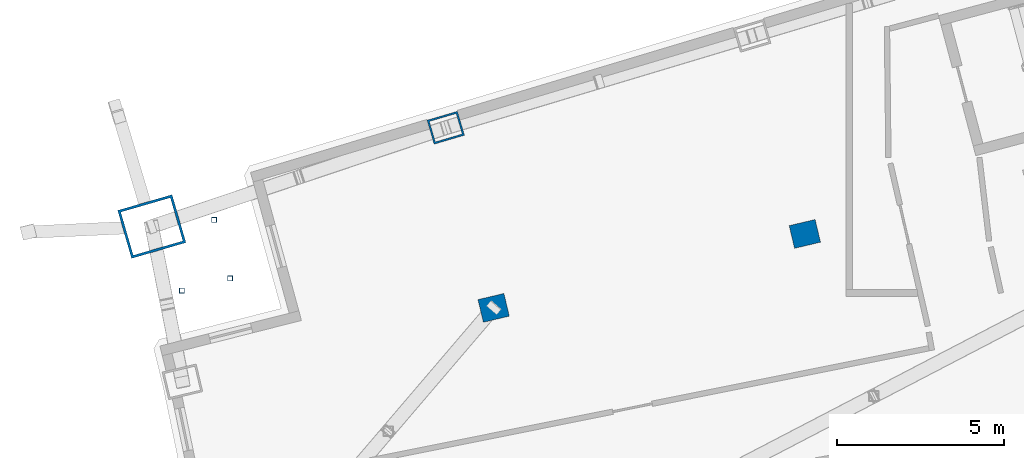
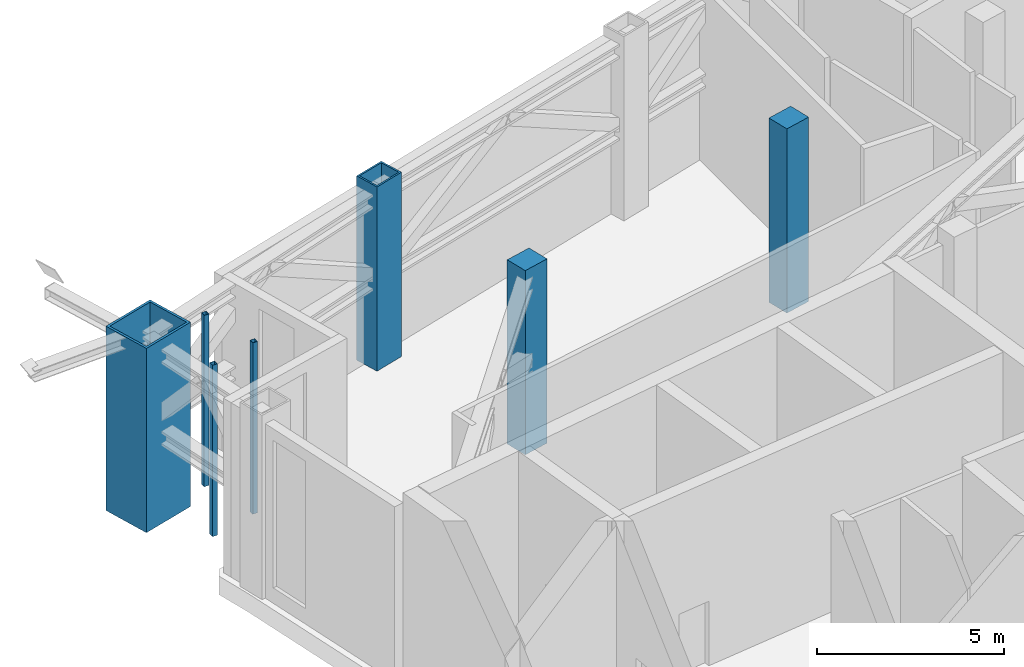
# One storey, part 5 of 23: 7 columns.
"""IFC4 building model written with IfcOpenShell, lengths in metres."""

from ifc_helpers import new_model, si_unit, direction, frame, origin, origin_2d, place, context, subcontext, project, spatial, rectangle, hollow_rectangle, extrude, material, material_profile, profile_set, type_object, element, save


model = new_model("IFC4")

# Units and contexts
model_context = context("Model", 3, precision=1e-05, world=origin(), true_north=direction((0.0, 1.0)))
body_context = subcontext(model_context, "Body", "Model", "MODEL_VIEW")
ifc_project = project(units=[si_unit("LENGTHUNIT", "METRE"), si_unit("AREAUNIT", "SQUARE_METRE"), si_unit("VOLUMEUNIT", "CUBIC_METRE"), si_unit("PLANEANGLEUNIT", "RADIAN"), si_unit("MASSUNIT", "GRAM", prefix="KILO")], contexts=[model_context])

# Site, building, storey
site_placement = place(None, origin())
site = spatial("IfcSite", under=ifc_project, at=site_placement, CompositionType="ELEMENT")
building_placement = place(site_placement, origin())
building = spatial("IfcBuilding", under=site, at=building_placement, Name="Alderwake Tower", CompositionType="ELEMENT")
storey_placement = place(building_placement, frame((0.0, 0.0, 239.60009765625)))
storey = spatial("IfcBuildingStorey", under=building, at=storey_placement, Name="L59", CompositionType="ELEMENT", Elevation=239.60009765625)

# Columns
ifc_material_1 = material(Name="Steel ASTM A572 Grade 50 concrete filled C70/85", Category="concrete")
ifc_material_profile_1 = material_profile(ifc_material_1, hollow_rectangle(XDim=0.75, YDim=0.949951171875, WallThickness=0.054931640625, at=origin_2d()), Name="BOX 950X750X55")
ifc_profile_set_1 = profile_set([ifc_material_profile_1], Name="Steel ASTM A572 Grade 50 concrete filled C70/85")
column_type_1 = type_object("IfcColumnType", Name="End column Z4", PredefinedType="COLUMN", material=ifc_profile_set_1)
column_1_placement = place(storey_placement, frame((21.885498046875, 90.96240234375, 0.0), z_axis=(0.0, 0.0, 1.0), x_axis=(-0.282132160283, 0.95937554906, 0.0)))
element("IfcColumn", 1, at=column_1_placement, inside=storey, type_object=column_type_1, Name="Column R12-C1", PredefinedType="COLUMN", context=body_context, shape_type="SweptSolid", body=[
    extrude(hollow_rectangle(XDim=0.75, YDim=0.949951171875, WallThickness=0.054931640625, at=origin_2d()), origin(), (0.0, 0.0, 1.0), 6.0),
])
ifc_material_2 = material(Name="Concrete C70/85", Category="concrete")
ifc_material_profile_2 = material_profile(ifc_material_2, rectangle(XDim=0.699951171875, YDim=0.800048828125, at=origin_2d()), Name="RC 800X700")
ifc_profile_set_2 = profile_set([ifc_material_profile_2], Name="Concrete C70/85")
column_type_2 = type_object("IfcColumnType", Name="Interior column Z4", PredefinedType="COLUMN", material=ifc_profile_set_2)
for number, where, z_axis, x_axis, name in (
    (2, (23.322021484375, 85.555908203125, 0.0), (0.0, 0.0, 1.0), (-0.231221547198, 0.972901123502, 0.0), "Column R11-C1"),
    (3, (32.661865234375, 87.775390625, 0.0), (0.0, 0.0, 1.0), (-0.231221547198, 0.972901123502, 0.0), "Column R11-C2"),
):
    element("IfcColumn", number, at=place(storey_placement, frame(where, z_axis=z_axis, x_axis=x_axis)), inside=storey, type_object=column_type_2, Name=name, PredefinedType="COLUMN", context=body_context, shape_type="SweptSolid", body=[
        extrude(rectangle(XDim=0.699951171875, YDim=0.800048828125, at=origin_2d()), origin(), (0.0, 0.0, 1.0), 6.0),
    ])
ifc_material_3 = material(Name="Steel ASTM A500 Grade C", Category="steel")
ifc_material_profile_3 = material_profile(ifc_material_3, hollow_rectangle(XDim=0.15234375, YDim=0.15234375, WallThickness=0.0087890625, at=origin_2d()), Name="HSS6X6X3/8")
ifc_profile_set_3 = profile_set([ifc_material_profile_3], Name="Steel ASTM A500 Grade C")
column_type_3 = type_object("IfcColumnType", Name="Light post HSS6X6X3/8", PredefinedType="COLUMN", material=ifc_profile_set_3)
for number, where, z_axis, x_axis, name in (
    (4, (13.962158203125, 86.073486328125, 0.0), (0.0, 0.0, 1.0), (1.0, 0.0, 0.0), "Terrace post RN1"),
    (5, (14.93115234375, 88.196044921875, 0.0), (0.0, 0.0, 1.0), (1.0, 0.0, 0.0), "Terrace post RN2"),
    (6, (15.41650390625, 86.441650390625, 0.0), (0.0, 0.0, 1.0), (1.0, 0.0, 0.0), "Terrace post RN3"),
):
    element("IfcColumn", number, at=place(storey_placement, frame(where, z_axis=z_axis, x_axis=x_axis)), inside=storey, type_object=column_type_3, Name=name, PredefinedType="COLUMN", context=body_context, shape_type="SweptSolid", body=[
        extrude(hollow_rectangle(XDim=0.15234375, YDim=0.15234375, WallThickness=0.0087890625, at=origin_2d()), origin(), (0.0, 0.0, 1.0), 5.579833984375),
    ])
ifc_material_4 = material(Name="Steel ASTM A572 Grade 50 concrete filled C70/85", Category="concrete")
ifc_material_profile_4 = material_profile(ifc_material_4, hollow_rectangle(XDim=1.5, YDim=1.699951171875, WallThickness=0.074951171875, at=origin_2d()), Name="BOX 1700X1500X75")
ifc_profile_set_4 = profile_set([ifc_material_profile_4], Name="Steel ASTM A572 Grade 50 concrete filled C70/85")
column_type_4 = type_object("IfcColumnType", Name="Mega column Z4", PredefinedType="COLUMN", material=ifc_profile_set_4)
column_2_placement = place(storey_placement, frame((13.06298828125, 87.99755859375, 0.0), z_axis=(0.0, 0.0, 1.0), x_axis=(-0.278612301868, 0.960403657452, 0.0)))
element("IfcColumn", 7, at=column_2_placement, inside=storey, type_object=column_type_4, Name="Column R12-C0", PredefinedType="COLUMN", context=body_context, shape_type="SweptSolid", body=[
    extrude(hollow_rectangle(XDim=1.5, YDim=1.699951171875, WallThickness=0.074951171875, at=origin_2d()), origin(), (0.0, 0.0, 1.0), 6.0),
])

save(model, "model.ifc")
